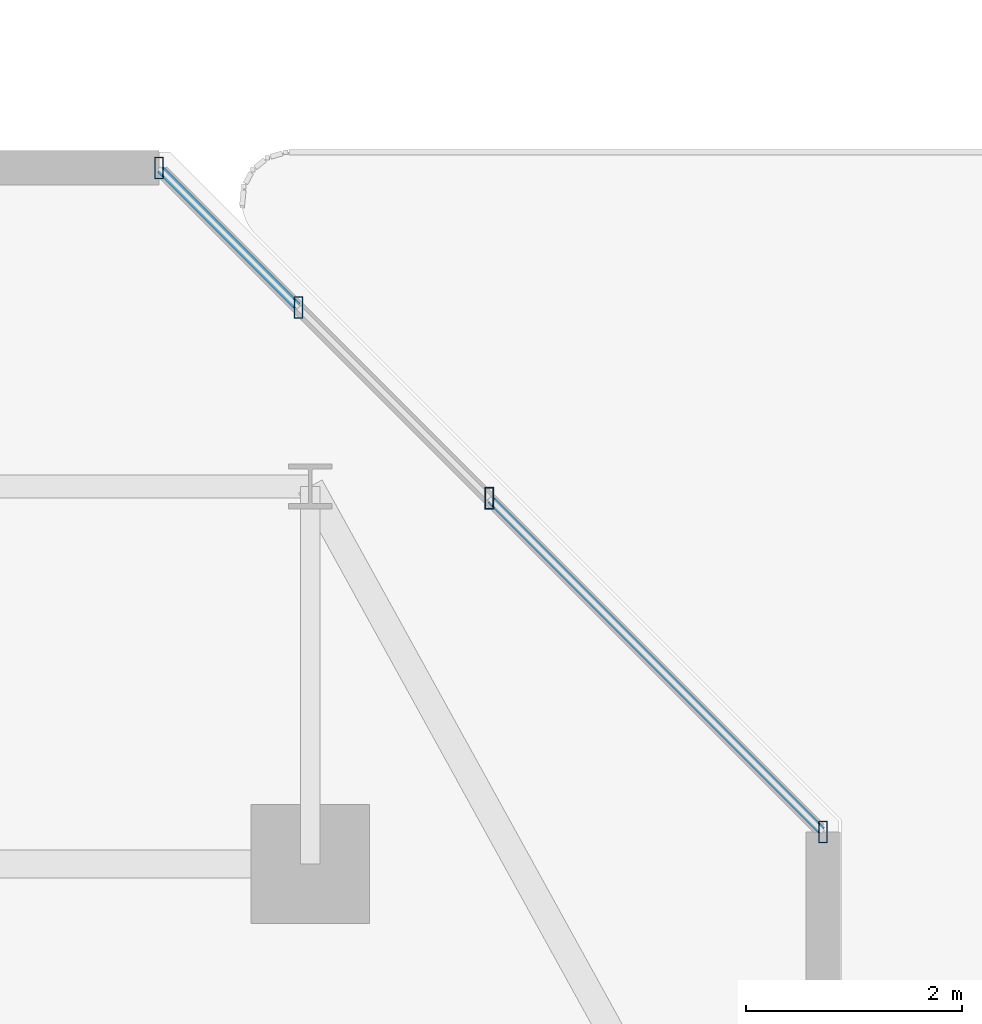
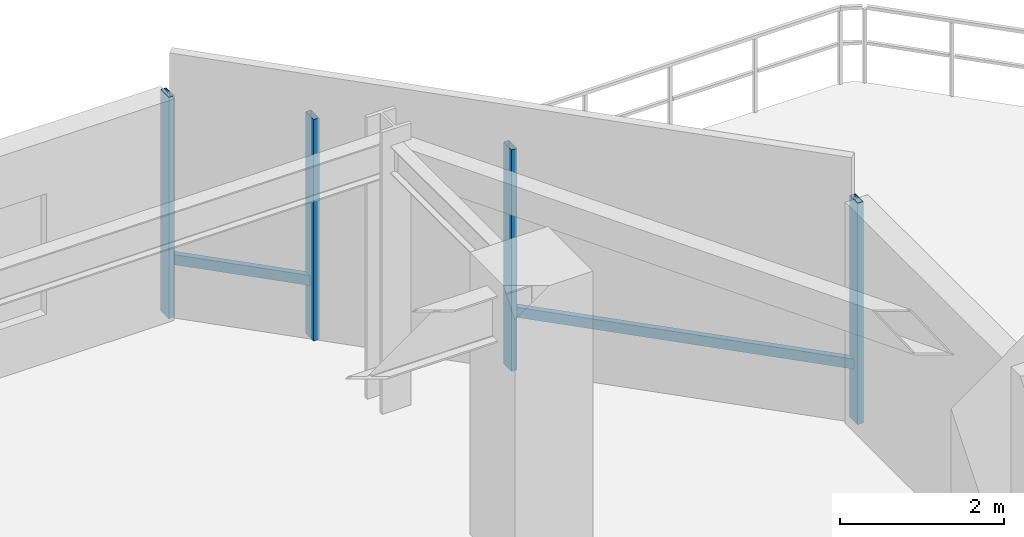
# One storey, part 17 of 33: 6 members, 2 elements without a shape of their own.
"""IFC4 building model written with IfcOpenShell, lengths in metres."""

from ifc_helpers import new_model, si_unit, direction, frame, origin, origin_2d, place, context, subcontext, project, spatial, hollow_rectangle, extrude, material, material_profile, profile_set, type_object, element, aggregate, save


model = new_model("IFC4")

# Units and contexts
model_context = context("Model", 3, precision=1e-05, world=origin(), true_north=direction((0.0, 1.0)))
body_context = subcontext(model_context, "Body", "Model", "MODEL_VIEW")
ifc_project = project(units=[si_unit("LENGTHUNIT", "METRE"), si_unit("AREAUNIT", "SQUARE_METRE"), si_unit("VOLUMEUNIT", "CUBIC_METRE"), si_unit("PLANEANGLEUNIT", "RADIAN"), si_unit("MASSUNIT", "GRAM", prefix="KILO")], contexts=[model_context])

# Site, building, storey
site_placement = place(None, origin())
site = spatial("IfcSite", under=ifc_project, at=site_placement, CompositionType="ELEMENT")
building_placement = place(site_placement, origin())
building = spatial("IfcBuilding", under=site, at=building_placement, Name="Thornwick Lancets Civic Towers", CompositionType="ELEMENT")
storey_placement = place(building_placement, frame((0.0, 0.0, 174.300048828125)))
storey = spatial("IfcBuildingStorey", under=building, at=storey_placement, Name="L46", CompositionType="ELEMENT", Elevation=174.300048828125)

# Curtain wall, members
ifc_material_1 = material(Name="Mid-zone chamfered-corner unitised glass curtain wall", Category="glass")
curtain_wall_type = type_object("IfcCurtainWallType", Name="CW_SYS_04", PredefinedType="NOTDEFINED", material=ifc_material_1)
curtain_wall_1_placement = place(storey_placement, origin())
curtain_wall_1 = element("IfcCurtainWall", 1, at=curtain_wall_1_placement, inside=storey, type_object=curtain_wall_type, Name="L46 Curtain Wall CW-L46-B-E3-S1", PredefinedType="NOTDEFINED")
ifc_material_2 = material(Name="Thermally broken bronze aluminium S355", Category="steel")
ifc_material_profile_1 = material_profile(ifc_material_2, hollow_rectangle(XDim=0.080078125, YDim=0.199951171875, WallThickness=0.006103515625, at=origin_2d()), Name="RHS 200x80x6")
ifc_profile_set_1 = profile_set([ifc_material_profile_1], Name="Thermally broken bronze aluminium S355")
member_type_1 = type_object("IfcMemberType", Name="CW_MUL_200", PredefinedType="MULLION", material=ifc_profile_set_1)
member_1_placement = place(storey_placement, frame((106.252685546875, 44.596435546875, 0.0), z_axis=(0.0, 0.0, 1.0), x_axis=(1.0, 0.0, 0.0)))
member_1 = element("IfcMember", 2, at=member_1_placement, type_object=member_type_1, Name="CW-L46-B-E3-S1 Mullion 0", PredefinedType="MULLION", context=body_context, shape_type="SweptSolid", body=[
    extrude(hollow_rectangle(XDim=0.080078125, YDim=0.199951171875, WallThickness=0.006103515625, at=origin_2d()), origin(), (0.0, 0.0, 1.0), 3.300048828125),
])
member_2_placement = place(storey_placement, frame((103.158447265625, 47.690673828125, 0.0), z_axis=(0.0, 0.0, 1.0), x_axis=(1.0, 0.0, 0.0)))
member_2 = element("IfcMember", 3, at=member_2_placement, type_object=member_type_1, Name="CW-L46-B-E3-S1 Mullion 1", PredefinedType="MULLION", context=body_context, shape_type="SweptSolid", body=[
    extrude(hollow_rectangle(XDim=0.080078125, YDim=0.199951171875, WallThickness=0.006103515625, at=origin_2d()), origin(), (0.0, 0.0, 1.0), 3.300048828125),
])

curtain_wall_2_placement = place(storey_placement, origin())
curtain_wall_2 = element("IfcCurtainWall", 4, at=curtain_wall_2_placement, inside=storey, type_object=curtain_wall_type, Name="L46 Curtain Wall CW-L46-B-E3-S2", PredefinedType="NOTDEFINED")
member_3_placement = place(storey_placement, frame((101.390625, 49.45849609375, 0.0), z_axis=(0.0, 0.0, 1.0), x_axis=(1.0, 0.0, 0.0)))
member_3 = element("IfcMember", 5, at=member_3_placement, type_object=member_type_1, Name="CW-L46-B-E3-S2 Mullion 0", PredefinedType="MULLION", context=body_context, shape_type="SweptSolid", body=[
    extrude(hollow_rectangle(XDim=0.080078125, YDim=0.199951171875, WallThickness=0.006103515625, at=origin_2d()), origin(), (0.0, 0.0, 1.0), 3.300048828125),
])
member_4_placement = place(storey_placement, frame((100.096435546875, 50.752685546875, 0.0), z_axis=(0.0, 0.0, 1.0), x_axis=(1.0, 0.0, 0.0)))
member_4 = element("IfcMember", 6, at=member_4_placement, type_object=member_type_1, Name="CW-L46-B-E3-S2 Mullion 1", PredefinedType="MULLION", context=body_context, shape_type="SweptSolid", body=[
    extrude(hollow_rectangle(XDim=0.080078125, YDim=0.199951171875, WallThickness=0.006103515625, at=origin_2d()), origin(), (0.0, 0.0, 1.0), 3.300048828125),
])

# Member
ifc_material_profile_2 = material_profile(ifc_material_2, hollow_rectangle(XDim=0.074951171875, YDim=0.14990234375, WallThickness=0.0048828125, at=origin_2d()), Name="RHS 150x75x5")
ifc_profile_set_2 = profile_set([ifc_material_profile_2], Name="Thermally broken bronze aluminium S355")
member_type_2 = type_object("IfcMemberType", Name="CW_TRN_150", PredefinedType="USERDEFINED", material=ifc_profile_set_2)
member_5_placement = place(storey_placement, frame((106.23876953125, 44.610595703125, 0.849853515625), z_axis=(-0.707134933144, 0.707078628109, 0.0), x_axis=(-0.707078628109, -0.707134933144, 0.0)))
member_5 = element("IfcMember", 7, at=member_5_placement, type_object=member_type_2, Name="CW-L46-B-E3-S1 Transom 0", ObjectType="TRANSOM", PredefinedType="USERDEFINED", context=body_context, shape_type="SweptSolid", body=[
    extrude(hollow_rectangle(XDim=0.074951171875, YDim=0.14990234375, WallThickness=0.0048828125, at=origin_2d()), origin(), (0.0, 0.0, 1.0), 4.3359375),
])

aggregate(curtain_wall_1, [member_1, member_2, member_5])

member_6_placement = place(storey_placement, frame((101.376708984375, 49.47265625, 0.849853515625), z_axis=(-0.707106781187, 0.707106781187, 0.0), x_axis=(-0.707106781187, -0.707106781187, 0.0)))
member_6 = element("IfcMember", 8, at=member_6_placement, type_object=member_type_2, Name="CW-L46-B-E3-S2 Transom 0", ObjectType="TRANSOM", PredefinedType="USERDEFINED", context=body_context, shape_type="SweptSolid", body=[
    extrude(hollow_rectangle(XDim=0.074951171875, YDim=0.14990234375, WallThickness=0.0048828125, at=origin_2d()), origin(), (0.0, 0.0, 1.0), 1.79052734375),
])

aggregate(curtain_wall_2, [member_3, member_4, member_6])

save(model, "model.ifc")
